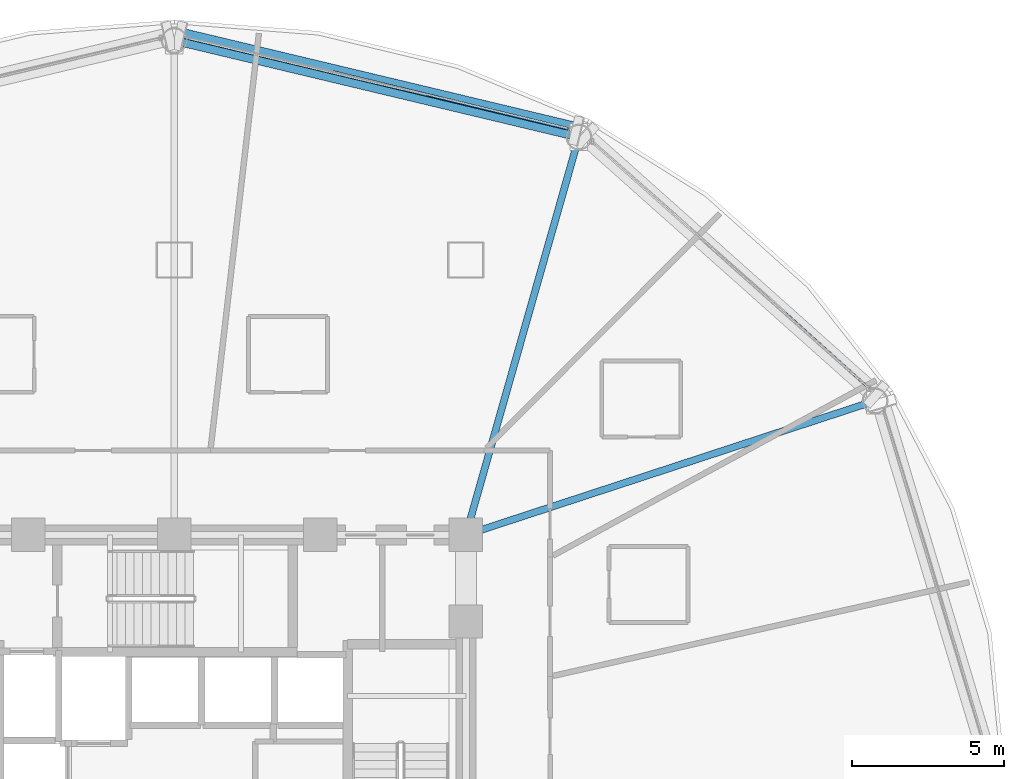
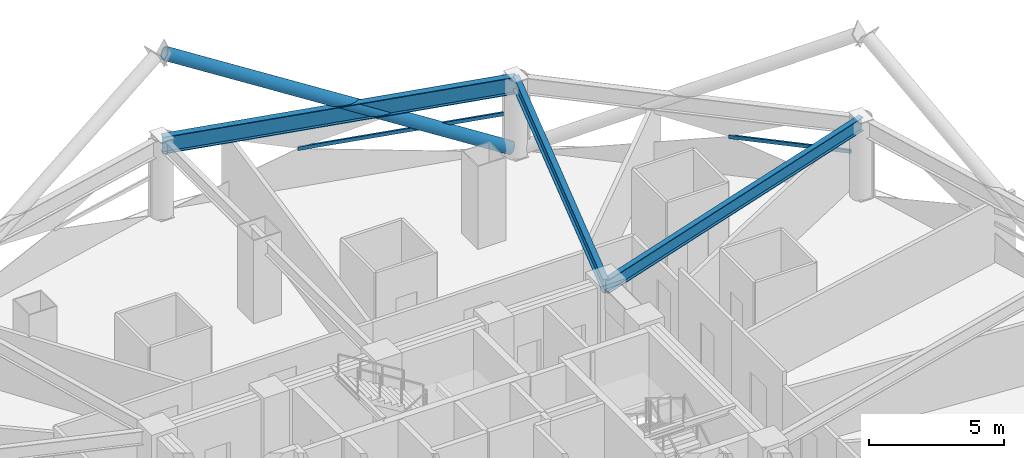
# One storey, part 20 of 31: 3 beams, 3 members, 2 elements without a shape of their own.
"""IFC4 building model written with IfcOpenShell, lengths in metres."""

import ifcopenshell
import ifcopenshell.guid

model = None  # the IFC model being written
_history = None  # IfcOwnerHistory: only IFC2X3 demands one
_inside = {}  # id of a spatial element -> (the spatial element, [elements in it])
_under = {}  # id of a project, library or spatial element -> (it, [spatial elements below it])
_declared = {}  # id of a project -> (the project, [libraries it declares])
_typed = {}  # id of a type object -> (the type object, [elements of that type])
_made_of = {}  # id of a material, layer set ... -> (it, [elements and type objects made of it])


def new_model(schema):
    """Start an empty IFC model of exactly this schema.

    Asked for "IFC4X3", IfcOpenShell would pick the latest addendum, in which some entities
    have other attributes; the version numbers below select the first issue.
    IFC2X3 requires an IfcOwnerHistory on every rooted entity: one is made here for all.
    """
    global model, _history
    if schema == "IFC4X3":
        model = ifcopenshell.file(schema_version=(4, 3, 0, 0))
    else:
        model = ifcopenshell.file(schema=schema)
    _inside.clear()
    _under.clear()
    _declared.clear()
    _typed.clear()
    _made_of.clear()
    _history = None
    if model.schema == "IFC2X3":
        org = make("IfcOrganization", Name="unknown")
        user = make(
            "IfcPersonAndOrganization",
            ThePerson=make("IfcPerson", FamilyName="unknown"),
            TheOrganization=org,
        )
        app = make(
            "IfcApplication",
            ApplicationDeveloper=org,
            Version="unknown",
            ApplicationFullName="unknown",
            ApplicationIdentifier="unknown",
        )
        _history = make(
            "IfcOwnerHistory",
            OwningUser=user,
            OwningApplication=app,
            ChangeAction="ADDED",
            CreationDate=0,
        )
    return model


def make(cls, **values):
    """One entity of the class cls with the attributes given. An attribute that is None is left unset."""
    return model.create_entity(
        cls, **{name: value for name, value in values.items() if value is not None}
    )


def rooted(cls, **values):
    """An entity with a GlobalId (a new one), such as an element, a storey or a relation."""
    return make(cls, GlobalId=ifcopenshell.guid.new(), OwnerHistory=_history, **values)


def si_unit(unit_type, name, prefix=None):
    """IfcSIUnit, for example si_unit("LENGTHUNIT", "METRE", prefix="MILLI")."""
    return make("IfcSIUnit", UnitType=unit_type, Prefix=prefix, Name=name)


def assignment(units):
    """IfcUnitAssignment: the units of a project."""
    return None if units is None else make("IfcUnitAssignment", Units=units)


def point(xyz):
    """IfcCartesianPoint."""
    return None if xyz is None else make("IfcCartesianPoint", Coordinates=xyz)


def direction(xyz):
    """IfcDirection."""
    return None if xyz is None else make("IfcDirection", DirectionRatios=xyz)


def frame(location, z_axis=None, x_axis=None):
    """IfcAxis2Placement3D, a coordinate frame: its origin and axes. An axis left out is left unset."""
    return make(
        "IfcAxis2Placement3D",
        Location=point(location),
        Axis=direction(z_axis),
        RefDirection=direction(x_axis),
    )


def frame_2d(location, x_axis=None):
    """IfcAxis2Placement2D, a coordinate frame in the plane: its origin and x axis."""
    return make(
        "IfcAxis2Placement2D", Location=point(location), RefDirection=direction(x_axis)
    )


def origin():
    """The frame at (0, 0, 0) with its axes left unset."""
    return frame((0.0, 0.0, 0.0))


def origin_2d():
    """The frame at (0, 0) in the plane with its x axis left unset."""
    return frame_2d((0.0, 0.0))


def place(relative_to, where):
    """IfcLocalPlacement: puts the frame where relative to a parent placement (None: the world)."""
    return make(
        "IfcLocalPlacement", PlacementRelTo=relative_to, RelativePlacement=where
    )


def context(
    kind, dimensions, precision=None, world=None, true_north=None, identifier=None
):
    """IfcGeometricRepresentationContext, for example the 3D "Model" context."""
    return make(
        "IfcGeometricRepresentationContext",
        ContextIdentifier=identifier,
        ContextType=kind,
        CoordinateSpaceDimension=dimensions,
        Precision=precision,
        WorldCoordinateSystem=world,
        TrueNorth=true_north,
    )


def subcontext(parent, identifier, kind, view, scale=None):
    """IfcGeometricRepresentationSubContext, for example "Body" below "Model"."""
    return make(
        "IfcGeometricRepresentationSubContext",
        ContextIdentifier=identifier,
        ContextType=kind,
        ParentContext=parent,
        TargetScale=scale,
        TargetView=view,
    )


def project(units=None, contexts=None):
    """IfcProject with its units and contexts."""
    return rooted(
        "IfcProject",
        Name="project",
        RepresentationContexts=contexts,
        UnitsInContext=assignment(units),
    )


def spatial(cls, under=None, at=None, **own):
    """A site, building, storey or space (cls), placed at a placement, below another one or the project."""
    s = rooted(cls, ObjectPlacement=at, **own)
    if under is not None:
        _under.setdefault(under.id(), (under, []))[1].append(s)
    return s


def profile(cls, at=None, kind="AREA", **sizes):
    """A parametric profile (cls). Its sizes go by their IFC names, for example OverallWidth=200.0."""
    return make(cls, ProfileType=kind, Position=at, **sizes)


def hollow_rectangle(**sizes):
    """IfcRectangleHollowProfileDef."""
    return profile("IfcRectangleHollowProfileDef", **sizes)


def hollow_circle(**sizes):
    """IfcCircleHollowProfileDef."""
    return profile("IfcCircleHollowProfileDef", **sizes)


def i_section(**sizes):
    """IfcIShapeProfileDef."""
    return profile("IfcIShapeProfileDef", **sizes)


def extrude(swept, where, along, depth):
    """IfcExtrudedAreaSolid: the profile swept, set in the frame where, extruded along a direction by depth."""
    return make(
        "IfcExtrudedAreaSolid",
        SweptArea=swept,
        Position=where,
        ExtrudedDirection=direction(along),
        Depth=depth,
    )


def shape(context_of_items, identifier, shape_type, items):
    """IfcShapeRepresentation: the items that make up one representation, for example the "Body"."""
    return make(
        "IfcShapeRepresentation",
        ContextOfItems=context_of_items,
        RepresentationIdentifier=identifier,
        RepresentationType=shape_type,
        Items=items,
    )


def material(Name=None, Category=None):
    """IfcMaterial."""
    return make("IfcMaterial", Name=Name, Category=Category)


def layer(
    of_material, thickness, ventilated=None, Name=None, Category=None, Priority=None
):
    """IfcMaterialLayer: one layer of a wall or slab, of a material (None: an air gap)."""
    return make(
        "IfcMaterialLayer",
        Material=of_material,
        LayerThickness=thickness,
        IsVentilated=ventilated,
        Name=Name,
        Category=Category,
        Priority=Priority,
    )


def layer_set(layers, Name=None):
    """IfcMaterialLayerSet."""
    return make("IfcMaterialLayerSet", MaterialLayers=layers, LayerSetName=Name)


def material_profile(
    of_material, cross_section, Name=None, Category=None, Priority=None
):
    """IfcMaterialProfile: a cross section and its material."""
    return make(
        "IfcMaterialProfile",
        Name=Name,
        Material=of_material,
        Profile=cross_section,
        Priority=Priority,
        Category=Category,
    )


def profile_set(profiles, Name=None, composite=None):
    """IfcMaterialProfileSet."""
    return make(
        "IfcMaterialProfileSet",
        Name=Name,
        MaterialProfiles=profiles,
        CompositeProfile=composite,
    )


def made_of(thing, what):
    """Note that an element or type object is made of a material, layer set ...; save() writes the relation."""
    if what is not None:
        _made_of.setdefault(what.id(), (what, []))[1].append(thing)
    return thing


def type_object(cls, material=None, **own):
    """A type object (cls), such as IfcWallType, which elements share."""
    return made_of(rooted(cls, **own), material)


def element(
    cls,
    number,
    at=None,
    inside=None,
    cuts=None,
    type_object=None,
    material=None,
    context=None,
    identifier="Body",
    shape_type=None,
    held_by="IfcProductDefinitionShape",
    body=None,
    shapes=None,
    **own,
):
    """One element of the class cls, such as IfcWall. Its Tag is "e" and its number.

    at: its placement. inside: the storey or other place that contains it. cuts: it is an
    opening in that element (IfcRelVoidsElement). A single representation is given by context,
    identifier, shape_type and body (its items); several are given by shapes. held_by: the class
    of the entity that holds the representations. save() writes the other relations.
    """
    e = rooted(cls, Tag="e%d" % number, ObjectPlacement=at, **own)
    if body is not None:
        shapes = [shape(context, identifier, shape_type, body)]
    if shapes is not None:
        e.Representation = make(held_by, Representations=shapes)
    if inside is not None:
        _inside.setdefault(inside.id(), (inside, []))[1].append(e)
    if cuts is not None:
        rooted(
            "IfcRelVoidsElement", RelatingBuildingElement=cuts, RelatedOpeningElement=e
        )
    if type_object is not None:
        _typed.setdefault(type_object.id(), (type_object, []))[1].append(e)
    return made_of(e, material)


def aggregate(whole, parts):
    """IfcRelAggregates: a whole, such as a stair, and the parts it consists of."""
    return rooted("IfcRelAggregates", RelatingObject=whole, RelatedObjects=parts)


def save(model, path):
    """Write the relations noted so far, then the file.

    IfcRelAggregates (storeys below a building ...), IfcRelContainedInSpatialStructure (elements
    in a storey), IfcRelDefinesByType, IfcRelAssociatesMaterial and IfcRelDeclares: one each for
    every whole, place, type object, material and project.
    """
    for whole, parts in _under.values():
        aggregate(whole, parts)
    for where, things in _inside.values():
        rooted(
            "IfcRelContainedInSpatialStructure",
            RelatedElements=things,
            RelatingStructure=where,
        )
    for kind, things in _typed.values():
        rooted("IfcRelDefinesByType", RelatedObjects=things, RelatingType=kind)
    for what, things in _made_of.values():
        rooted("IfcRelAssociatesMaterial", RelatedObjects=things, RelatingMaterial=what)
    for by, libraries in _declared.values():
        rooted("IfcRelDeclares", RelatingContext=by, RelatedDefinitions=libraries)
    model.write(path)


model = new_model("IFC4")

# Units and contexts
model_context = context("Model", 3, precision=1e-05, world=origin(), true_north=direction((0.0, 1.0)))
body_context = subcontext(model_context, "Body", "Model", "MODEL_VIEW")
ifc_project = project(units=[si_unit("LENGTHUNIT", "METRE"), si_unit("AREAUNIT", "SQUARE_METRE"), si_unit("VOLUMEUNIT", "CUBIC_METRE"), si_unit("PLANEANGLEUNIT", "RADIAN"), si_unit("MASSUNIT", "GRAM", prefix="KILO")], contexts=[model_context])

# Site, building, storey
site_placement = place(None, origin())
site = spatial("IfcSite", under=ifc_project, at=site_placement, CompositionType="ELEMENT")
building_placement = place(site_placement, origin())
building = spatial("IfcBuilding", under=site, at=building_placement, Name="Vantalir Tower", CompositionType="ELEMENT")
storey_placement = place(building_placement, frame((0.0, 0.0, 42.0)))
storey = spatial("IfcBuildingStorey", under=building, at=storey_placement, Name="L09", CompositionType="ELEMENT", Elevation=42.0)

# Beams
ifc_material_1 = material(Name="Steel S355", Category="steel")
ifc_material_profile_1 = material_profile(ifc_material_1, i_section(OverallWidth=0.22998046875, OverallDepth=0.616943359375, WebThickness=0.01318359375, FlangeThickness=0.022216796875, at=origin_2d()), Name="Steel S355")
ifc_profile_set_1 = profile_set([ifc_material_profile_1], Name="Steel S355")
beam_type_1 = type_object("IfcBeamType", Name="BM-RB-610x229", PredefinedType="BEAM", material=ifc_profile_set_1)
beam_1_placement = place(storey_placement, frame((54.570068359375, 36.863037109375, 3.261962890625), z_axis=(-0.950298396934, -0.311340580048, 0.0), x_axis=(0.311340580048, -0.950298396934, 0.0)))
element("IfcBeam", 1, at=beam_1_placement, inside=storey, type_object=beam_type_1, Name="L09 Radial Floor Beam 02", PredefinedType="BEAM", context=body_context, shape_type="SweptSolid", body=[
    extrude(i_section(OverallWidth=0.22998046875, OverallDepth=0.616943359375, WebThickness=0.01318359375, FlangeThickness=0.022216796875, at=origin_2d()), origin(), (0.0, 0.0, 1.0), 14.174560546875),
])
beam_2_placement = place(storey_placement, frame((44.820068359375, 45.547119140625, 3.261962890625), z_axis=(-0.273221656267, -0.961951104031, 0.0), x_axis=(0.961951104031, -0.273221656267, 0.0)))
element("IfcBeam", 2, at=beam_2_placement, inside=storey, type_object=beam_type_1, Name="L09 Radial Floor Beam 03", PredefinedType="BEAM", context=body_context, shape_type="SweptSolid", body=[
    extrude(i_section(OverallWidth=0.22998046875, OverallDepth=0.616943359375, WebThickness=0.01318359375, FlangeThickness=0.022216796875, at=origin_2d()), origin(), (0.0, 0.0, 1.0), 13.615234375),
])
ifc_material_2 = material(Name="Steel S460", Category="steel")
ifc_material_profile_2 = material_profile(ifc_material_2, i_section(OverallWidth=0.26806640625, OverallDepth=0.77001953125, WebThickness=0.015625, FlangeThickness=0.025390625, at=origin_2d()), Name="Steel S460")
ifc_profile_set_2 = profile_set([ifc_material_profile_2], Name="Steel S460")
beam_type_2 = type_object("IfcBeamType", Name="BM-RG-762x267", PredefinedType="USERDEFINED", material=ifc_profile_set_2)
beam_3_placement = place(storey_placement, frame((44.820068359375, 45.547119140625, 3.18505859375), z_axis=(-0.972682503887, 0.232139498215, 0.0), x_axis=(-0.232139498215, -0.972682503887, 0.0)))
element("IfcBeam", 3, at=beam_3_placement, inside=storey, type_object=beam_type_2, Name="L09 Circumferential Ring Girder 03", ObjectType="GIRDER", PredefinedType="USERDEFINED", context=body_context, shape_type="SweptSolid", body=[
    extrude(i_section(OverallWidth=0.26806640625, OverallDepth=0.77001953125, WebThickness=0.015625, FlangeThickness=0.025390625, at=origin_2d()), origin(), (0.0, 0.0, 1.0), 13.694091796875),
])

# Curtain wall, member
ifc_material_3 = material(Name="Champagne-silver PVDF aluminium and double-silver Low-E glass", Category="aluminium")
ifc_layer = layer(ifc_material_3, 0.18994140625)
ifc_layer_set = layer_set([ifc_layer], Name="Champagne-silver PVDF aluminium and double-silver Low-E glass")
curtain_wall_type = type_object("IfcCurtainWallType", Name="CW-DIAMOND-Z1", PredefinedType="USERDEFINED", material=ifc_layer_set)
curtain_wall_1_placement = place(storey_placement, origin())
curtain_wall_1 = element("IfcCurtainWall", 4, at=curtain_wall_1_placement, inside=storey, type_object=curtain_wall_type, Name="L09 Quilted Pyramid-Diamond Curtain Wall S02", ObjectType="UNITISED CURTAIN WALL", PredefinedType="USERDEFINED")
ifc_material_4 = material(Name="Champagne-silver PVDF aluminium 6063-T6", Category="aluminium")
ifc_material_profile_3 = material_profile(ifc_material_4, hollow_rectangle(XDim=0.074951171875, YDim=0.159912109375, WallThickness=0.00390625, at=origin_2d()), Name="Champagne-silver PVDF aluminium 6063-T6")
ifc_profile_set_3 = profile_set([ifc_material_profile_3], Name="Champagne-silver PVDF aluminium 6063-T6")
member_type_1 = type_object("IfcMemberType", Name="CWT-160x75", PredefinedType="USERDEFINED", material=ifc_profile_set_3)
member_1_placement = place(storey_placement, frame((54.384033203125, 37.27099609375, 1.784912109375), z_axis=(-0.743123962124, 0.669153776734, 0.0), x_axis=(-0.669153776734, -0.743123962124, 0.0)))
member_1 = element("IfcMember", 5, at=member_1_placement, type_object=member_type_1, Name="CW-L09-S02 Pyramid Fold Ridge Transom", ObjectType="TRANSOM", PredefinedType="USERDEFINED", context=body_context, shape_type="SweptSolid", body=[
    extrude(hollow_rectangle(XDim=0.074951171875, YDim=0.159912109375, WallThickness=0.00390625, at=origin_2d()), origin(), (0.0, 0.0, 1.0), 4.63720703125),
])
aggregate(curtain_wall_1, [member_1])

curtain_wall_2_placement = place(storey_placement, origin())
curtain_wall_2 = element("IfcCurtainWall", 6, at=curtain_wall_2_placement, inside=storey, type_object=curtain_wall_type, Name="L09 Quilted Pyramid-Diamond Curtain Wall S03", ObjectType="UNITISED CURTAIN WALL", PredefinedType="USERDEFINED")
member_2_placement = place(storey_placement, frame((44.4580078125, 45.821044921875, 1.784912109375), z_axis=(-0.971924881913, 0.235291359636, 0.0), x_axis=(-0.235291359636, -0.971924881913, 0.0)))
member_2 = element("IfcMember", 7, at=member_2_placement, type_object=member_type_1, Name="CW-L09-S03 Pyramid Fold Ridge Transom", ObjectType="TRANSOM", PredefinedType="USERDEFINED", context=body_context, shape_type="SweptSolid", body=[
    extrude(hollow_rectangle(XDim=0.074951171875, YDim=0.159912109375, WallThickness=0.00390625, at=origin_2d()), origin(), (0.0, 0.0, 1.0), 7.96875),
])
aggregate(curtain_wall_2, [member_2])

# Member
ifc_material_profile_4 = material_profile(ifc_material_2, hollow_circle(Radius=0.27001953125, WallThickness=0.044921875, at=origin_2d()), Name="Steel S460")
ifc_profile_set_4 = profile_set([ifc_material_profile_4], Name="Steel S460")
member_type_2 = type_object("IfcMemberType", Name="MEM-DB-540x45", PredefinedType="BRACE", material=ifc_profile_set_4)
member_3_placement = place(storey_placement, frame((44.72509765625, 45.757080078125, 0.180908203125), z_axis=(-0.863224616441, 0.206218721582, 0.460778797733), x_axis=(-0.23235519219, -0.972631001286, 0.0)))
element("IfcMember", 8, at=member_3_placement, inside=storey, type_object=member_type_2, Name="L09 Perimeter S460 Diagrid Brace R07L", PredefinedType="BRACE", context=body_context, shape_type="SweptSolid", body=[
    extrude(hollow_circle(Radius=0.27001953125, WallThickness=0.044921875, at=origin_2d()), origin(), (0.0, 0.0, 1.0), 15.1005859375),
])

save(model, "model.ifc")
